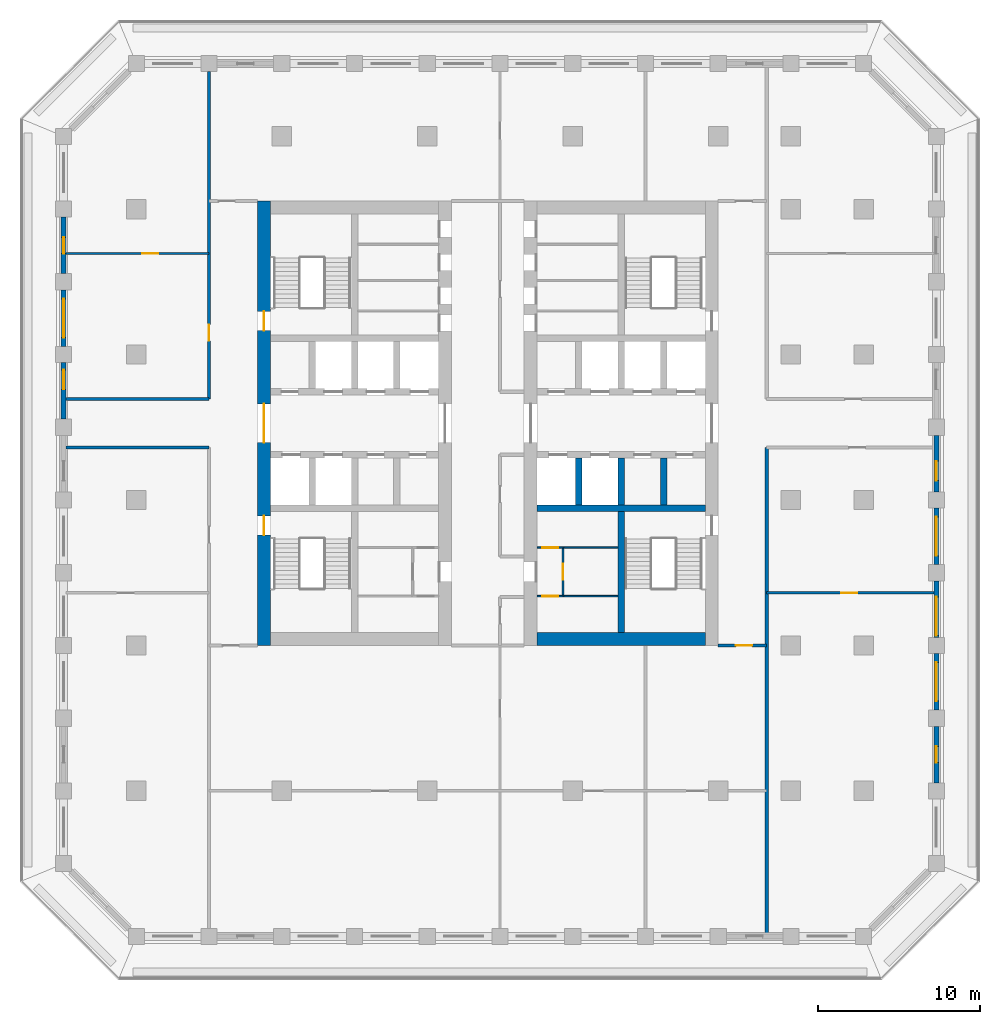
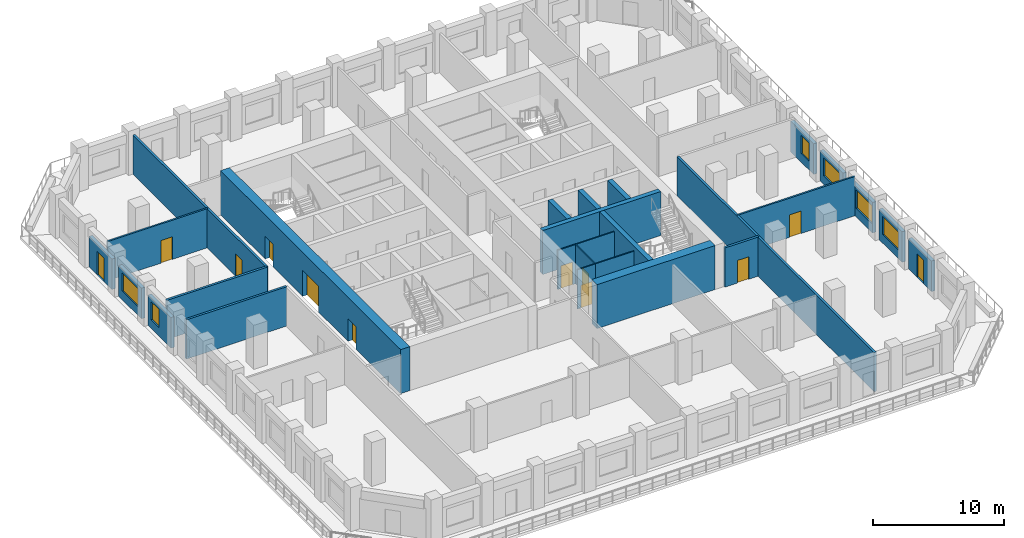
# One storey, part 4 of 16: 27 walls, 12 doors, 6 windows, 18 openings.
"""IFC4 building model written with IfcOpenShell, lengths in metres."""

from ifc_helpers import new_model, si_unit, direction, frame, frame_2d, origin, place, context, subcontext, project, spatial, rectangle, extrude, material, layer, layer_set, type_object, element, fill, save


model = new_model("IFC4")

# Units and contexts
model_context = context("Model", 3, precision=1e-05, world=origin(), true_north=direction((0.0, 1.0)))
body_context = subcontext(model_context, "Body", "Model", "MODEL_VIEW")
ifc_project = project(units=[si_unit("LENGTHUNIT", "METRE"), si_unit("AREAUNIT", "SQUARE_METRE"), si_unit("VOLUMEUNIT", "CUBIC_METRE"), si_unit("PLANEANGLEUNIT", "RADIAN"), si_unit("MASSUNIT", "GRAM", prefix="KILO")], contexts=[model_context])

# Site, building, storey
site_placement = place(None, origin())
site = spatial("IfcSite", under=ifc_project, at=site_placement, CompositionType="ELEMENT")
building_placement = place(site_placement, origin())
building = spatial("IfcBuilding", under=site, at=building_placement, Name="Corbel Stack Research Tower", CompositionType="ELEMENT")
storey_placement = place(building_placement, frame((0.0, 0.0, 195.60009765625)))
storey = spatial("IfcBuildingStorey", under=building, at=storey_placement, Name="L44", CompositionType="ELEMENT", Elevation=195.60009765625)

# Walls
ifc_material_1 = material(Name="Concrete C60/75", Category="concrete")
ifc_layer_1 = layer(ifc_material_1, 0.39990234375)
ifc_layer_set_1 = layer_set([ifc_layer_1], Name="Concrete C60/75")
wall_type_1 = type_object("IfcWallType", Name="CW-400-60", PredefinedType="SHEAR", material=ifc_layer_set_1)
wall_1_placement = place(storey_placement, frame((6.800048828125, -0.5, 0.0), z_axis=(0.0, 0.0, 1.0), x_axis=(1.0, 0.0, 0.0)))
element("IfcWall", 1, at=wall_1_placement, inside=storey, type_object=wall_type_1, Name="East core wall, south row back L44", PredefinedType="SHEAR", context=body_context, shape_type="SweptSolid", body=[
    extrude(rectangle(XDim=10.39990234375, YDim=0.39990234375, at=frame_2d((5.199951171875, 0.0))), origin(), (0.0, 0.0, 1.0), 4.099853515625),
])
for number, where, z_axis, x_axis, name in (
    (2, (9.375, -0.300048828125, 0.0), (0.0, 0.0, 1.0), (0.0, 1.0, 0.0), "East core wall, south shaft 1 L44"),
    (3, (12.0, -0.300048828125, 0.0), (0.0, 0.0, 1.0), (0.0, 1.0, 0.0), "East core wall, south shaft 2 L44"),
    (4, (14.625, -0.300048828125, 0.0), (0.0, 0.0, 1.0), (0.0, 1.0, 0.0), "East core wall, south shaft 3 L44"),
):
    element("IfcWall", number, at=place(storey_placement, frame(where, z_axis=z_axis, x_axis=x_axis)), inside=storey, type_object=wall_type_1, Name=name, PredefinedType="SHEAR", context=body_context, shape_type="SweptSolid", body=[
        extrude(rectangle(XDim=2.900146484375, YDim=0.39990234375, at=frame_2d((1.4501953125, 0.0))), origin(), (0.0, 0.0, 1.0), 4.099853515625),
    ])
wall_2_placement = place(storey_placement, frame((12.0, -8.199951171875, 0.0), z_axis=(0.0, 0.0, 1.0), x_axis=(0.0, 1.0, 0.0)))
element("IfcWall", 5, at=wall_2_placement, inside=storey, type_object=wall_type_1, Name="East core wall, south stair and WC L44", PredefinedType="SHEAR", context=body_context, shape_type="SweptSolid", body=[
    extrude(rectangle(XDim=7.5, YDim=0.39990234375, at=frame_2d((3.75, 0.0))), origin(), (0.0, 0.0, 1.0), 4.099853515625),
])

# Wall, openings, doors
ifc_material_2 = material(Name="Concrete C60/75", Category="concrete")
ifc_layer_2 = layer(ifc_material_2, 0.800048828125)
ifc_layer_set_2 = layer_set([ifc_layer_2], Name="Concrete C60/75")
wall_type_2 = type_object("IfcWallType", Name="CW-800-60", PredefinedType="SHEAR", material=ifc_layer_set_2)
wall_3_placement = place(storey_placement, frame((-10.10009765625, -9.0, 0.0), z_axis=(0.0, 0.0, 1.0), x_axis=(0.0, 1.0, 0.0)))
wall_3 = element("IfcWall", 6, at=wall_3_placement, inside=storey, type_object=wall_type_2, Name="West core wall, west face L44", PredefinedType="SHEAR", context=body_context, shape_type="SweptSolid", body=[
    extrude(rectangle(XDim=27.5, YDim=0.800048828125, at=frame_2d((13.75, 0.0))), origin(), (0.0, 0.0, 1.0), 4.099853515625),
])
opening_1_placement = place(wall_3_placement, frame((12.550048828125, 0.0, 0.0)))
opening_1 = element("IfcOpeningElement", 7, at=opening_1_placement, cuts=wall_3, Name="Opening CD-W-W", PredefinedType="OPENING", context=body_context, shape_type="SweptSolid", body=[
    extrude(rectangle(XDim=2.39990234375, YDim=2.39990234375, at=frame_2d((1.199951171875, 1.199951171875))), frame((0.0, 0.409912109375, 0.0), z_axis=(0.0, -1.0, 0.0), x_axis=(1.0, 0.0, 0.0)), (0.0, 0.0, 1.0), 0.820068359375),
])
opening_2_placement = place(wall_3_placement, frame((6.824951171875, 0.0, 0.0)))
opening_2 = element("IfcOpeningElement", 8, at=opening_2_placement, cuts=wall_3, Name="Opening SD-ST-W1", PredefinedType="OPENING", context=body_context, shape_type="SweptSolid", body=[
    extrude(rectangle(XDim=1.199951171875, YDim=2.10009765625, at=frame_2d((0.60009765625, 1.050048828125))), frame((0.0, 0.409912109375, 0.0), z_axis=(0.0, -1.0, 0.0), x_axis=(1.0, 0.0, 0.0)), (0.0, 0.0, 1.0), 0.820068359375),
])
opening_3_placement = place(wall_3_placement, frame((19.47509765625, 0.0, 0.0)))
opening_3 = element("IfcOpeningElement", 9, at=opening_3_placement, cuts=wall_3, Name="Opening SD-ST-W2", PredefinedType="OPENING", context=body_context, shape_type="SweptSolid", body=[
    extrude(rectangle(XDim=1.199951171875, YDim=2.10009765625, at=frame_2d((0.60009765625, 1.050048828125))), frame((0.0, 0.409912109375, 0.0), z_axis=(0.0, -1.0, 0.0), x_axis=(1.0, 0.0, 0.0)), (0.0, 0.0, 1.0), 0.820068359375),
])
ifc_material_3 = material(Name="Painted steel fire door", Category="steel")
door_type_1 = type_object("IfcDoorType", Name="Lobby door pair 2400 x 2400 FD30S", OperationType="DOUBLE_DOOR_DOUBLE_SWING", PredefinedType="DOOR", material=ifc_material_3)
door_1_placement = place(opening_1_placement, origin())
door_1 = element("IfcDoor", 10, at=door_1_placement, inside=storey, type_object=door_type_1, Name="Lift lobby door W core W", OperationType="DOUBLE_DOOR_DOUBLE_SWING", OverallHeight=2.39990234375, OverallWidth=2.39990234375, PredefinedType="DOOR", context=body_context, shape_type="SweptSolid", body=[
    extrude(rectangle(XDim=2.39990234375, YDim=2.39990234375, at=frame_2d((1.199951171875, 1.199951171875))), frame((0.0, 0.02490234375, 0.0), z_axis=(0.0, -1.0, 0.0), x_axis=(1.0, 0.0, 0.0)), (0.0, 0.0, 1.0), 0.050048828125),
])
fill(opening_1, door_1)
ifc_material_4 = material(Name="Painted steel fire door", Category="steel")
door_type_2 = type_object("IfcDoorType", Name="Stair door 1200 x 2100 FD90 left hand", OperationType="SINGLE_SWING_LEFT", PredefinedType="DOOR", material=ifc_material_4)
door_2_placement = place(opening_2_placement, origin())
door_2 = element("IfcDoor", 11, at=door_2_placement, inside=storey, type_object=door_type_2, Name="Stair door ST-W1", OperationType="SINGLE_SWING_LEFT", OverallHeight=2.10009765625, OverallWidth=1.199951171875, PredefinedType="DOOR", context=body_context, shape_type="SweptSolid", body=[
    extrude(rectangle(XDim=1.199951171875, YDim=2.10009765625, at=frame_2d((0.60009765625, 1.050048828125))), frame((0.0, 0.02490234375, 0.0), z_axis=(0.0, -1.0, 0.0), x_axis=(1.0, 0.0, 0.0)), (0.0, 0.0, 1.0), 0.050048828125),
])
fill(opening_2, door_2)
door_3_placement = place(opening_3_placement, origin())
door_3 = element("IfcDoor", 12, at=door_3_placement, inside=storey, type_object=door_type_2, Name="Stair door ST-W2", OperationType="SINGLE_SWING_LEFT", OverallHeight=2.10009765625, OverallWidth=1.199951171875, PredefinedType="DOOR", context=body_context, shape_type="SweptSolid", body=[
    extrude(rectangle(XDim=1.199951171875, YDim=2.10009765625, at=frame_2d((0.60009765625, 1.050048828125))), frame((0.0, 0.02490234375, 0.0), z_axis=(0.0, -1.0, 0.0), x_axis=(1.0, 0.0, 0.0)), (0.0, 0.0, 1.0), 0.050048828125),
])
fill(opening_3, door_3)

# Wall
wall_4_placement = place(storey_placement, frame((6.800048828125, -8.60009765625, 0.0), z_axis=(0.0, 0.0, 1.0), x_axis=(1.0, 0.0, 0.0)))
element("IfcWall", 13, at=wall_4_placement, inside=storey, type_object=wall_type_2, Name="East core wall, south end L44", PredefinedType="SHEAR", context=body_context, shape_type="SweptSolid", body=[
    extrude(rectangle(XDim=10.39990234375, YDim=0.800048828125, at=frame_2d((5.199951171875, 0.0))), origin(), (0.0, 0.0, 1.0), 4.099853515625),
])

# Wall, opening, door
ifc_material_5 = material(Name="Gypsum board")
ifc_layer_3 = layer(ifc_material_5, 0.10009765625)
ifc_layer_set_3 = layer_set([ifc_layer_3], Name="Gypsum board")
wall_type_3 = type_object("IfcWallType", Name="Core partition 100", PredefinedType="PARTITIONING", material=ifc_layer_set_3)
wall_5_placement = place(storey_placement, frame((6.800048828125, -5.949951171875, 0.0), z_axis=(0.0, 0.0, 1.0), x_axis=(1.0, 0.0, 0.0)))
wall_5 = element("IfcWall", 14, at=wall_5_placement, inside=storey, type_object=wall_type_3, Name="Core partition E", PredefinedType="PARTITIONING", context=body_context, shape_type="SweptSolid", body=[
    extrude(rectangle(XDim=1.599853515625, YDim=0.10009765625, at=frame_2d((0.7998046875, 0.0))), origin(), (0.0, 0.0, 1.0), 3.64990234375),
])
opening_4_placement = place(wall_5_placement, frame((0.300048828125, 0.0, 0.0)))
opening_4 = element("IfcOpeningElement", 15, at=opening_4_placement, cuts=wall_5, Name="Opening CR-E36-W2-1000", PredefinedType="OPENING", context=body_context, shape_type="SweptSolid", body=[
    extrude(rectangle(XDim=1.0, YDim=2.10009765625, at=frame_2d((0.5, 1.050048828125))), frame((0.0, 0.06005859375, 0.0), z_axis=(0.0, -1.0, 0.0), x_axis=(1.0, 0.0, 0.0)), (0.0, 0.0, 1.0), 0.1201171875),
])
ifc_material_6 = material(Name="Painted timber door", Category="wood")
door_type_3 = type_object("IfcDoorType", Name="WC door 1000 x 2100 left hand", OperationType="SINGLE_SWING_LEFT", PredefinedType="DOOR", material=ifc_material_6)
door_4_placement = place(opening_4_placement, origin())
door_4 = element("IfcDoor", 16, at=door_4_placement, inside=storey, type_object=door_type_3, Name="Men's WC door E core", OperationType="SINGLE_SWING_LEFT", OverallHeight=2.10009765625, OverallWidth=1.0, PredefinedType="DOOR", context=body_context, shape_type="SweptSolid", body=[
    extrude(rectangle(XDim=1.0, YDim=2.10009765625, at=frame_2d((0.5, 1.050048828125))), frame((0.0, 0.02490234375, 0.0), z_axis=(0.0, -1.0, 0.0), x_axis=(1.0, 0.0, 0.0)), (0.0, 0.0, 1.0), 0.050048828125),
])
fill(opening_4, door_4)

wall_6_placement = place(storey_placement, frame((6.800048828125, -2.949951171875, 0.0), z_axis=(0.0, 0.0, 1.0), x_axis=(1.0, 0.0, 0.0)))
wall_6 = element("IfcWall", 17, at=wall_6_placement, inside=storey, type_object=wall_type_3, Name="Core partition E", PredefinedType="PARTITIONING", context=body_context, shape_type="SweptSolid", body=[
    extrude(rectangle(XDim=1.599853515625, YDim=0.10009765625, at=frame_2d((0.7998046875, 0.0))), origin(), (0.0, 0.0, 1.0), 3.64990234375),
])
opening_5_placement = place(wall_6_placement, frame((0.300048828125, 0.0, 0.0)))
opening_5 = element("IfcOpeningElement", 18, at=opening_5_placement, cuts=wall_6, Name="Opening CR-E36-W3-1000", PredefinedType="OPENING", context=body_context, shape_type="SweptSolid", body=[
    extrude(rectangle(XDim=1.0, YDim=2.10009765625, at=frame_2d((0.5, 1.050048828125))), frame((0.0, 0.06005859375, 0.0), z_axis=(0.0, -1.0, 0.0), x_axis=(1.0, 0.0, 0.0)), (0.0, 0.0, 1.0), 0.1201171875),
])
ifc_material_7 = material(Name="Painted timber door", Category="wood")
door_type_4 = type_object("IfcDoorType", Name="WC door 1000 x 2100 right hand", OperationType="SINGLE_SWING_RIGHT", PredefinedType="DOOR", material=ifc_material_7)
door_5_placement = place(opening_5_placement, origin())
door_5 = element("IfcDoor", 19, at=door_5_placement, inside=storey, type_object=door_type_4, Name="Women's WC door E core", OperationType="SINGLE_SWING_RIGHT", OverallHeight=2.10009765625, OverallWidth=1.0, PredefinedType="DOOR", context=body_context, shape_type="SweptSolid", body=[
    extrude(rectangle(XDim=1.0, YDim=2.10009765625, at=frame_2d((0.5, 1.050048828125))), frame((0.0, 0.02490234375, 0.0), z_axis=(0.0, -1.0, 0.0), x_axis=(1.0, 0.0, 0.0)), (0.0, 0.0, 1.0), 0.050048828125),
])
fill(opening_5, door_5)

wall_7_placement = place(storey_placement, frame((8.39990234375, -5.949951171875, 0.0), z_axis=(0.0, 0.0, 1.0), x_axis=(0.0, 1.0, 0.0)))
wall_7 = element("IfcWall", 20, at=wall_7_placement, inside=storey, type_object=wall_type_3, Name="Core partition E", PredefinedType="PARTITIONING", context=body_context, shape_type="SweptSolid", body=[
    extrude(rectangle(XDim=3.0, YDim=0.10009765625, at=frame_2d((1.5, 0.0))), origin(), (0.0, 0.0, 1.0), 3.64990234375),
])
opening_6_placement = place(wall_7_placement, frame((1.0, 0.0, 0.0)))
opening_6 = element("IfcOpeningElement", 21, at=opening_6_placement, cuts=wall_7, Name="Opening CR-E36-W4-1000", PredefinedType="OPENING", context=body_context, shape_type="SweptSolid", body=[
    extrude(rectangle(XDim=1.0, YDim=2.10009765625, at=frame_2d((0.5, 1.050048828125))), frame((0.0, 0.06005859375, 0.0), z_axis=(0.0, -1.0, 0.0), x_axis=(1.0, 0.0, 0.0)), (0.0, 0.0, 1.0), 0.1201171875),
])
door_6_placement = place(opening_6_placement, origin())
door_6 = element("IfcDoor", 22, at=door_6_placement, inside=storey, type_object=door_type_3, Name="Accessible WC door E core", OperationType="SINGLE_SWING_LEFT", OverallHeight=2.10009765625, OverallWidth=1.0, PredefinedType="DOOR", context=body_context, shape_type="SweptSolid", body=[
    extrude(rectangle(XDim=1.0, YDim=2.10009765625, at=frame_2d((0.5, 1.050048828125))), frame((0.0, 0.02490234375, 0.0), z_axis=(0.0, -1.0, 0.0), x_axis=(1.0, 0.0, 0.0)), (0.0, 0.0, 1.0), 0.050048828125),
])
fill(opening_6, door_6)

# Walls
for number, where, z_axis, x_axis, name in (
    (23, (8.39990234375, -5.949951171875, 0.0), (0.0, 0.0, 1.0), (1.0, 0.0, 0.0), "Core partition E"),
    (24, (8.39990234375, -2.949951171875, 0.0), (0.0, 0.0, 1.0), (1.0, 0.0, 0.0), "Core partition E"),
):
    element("IfcWall", number, at=place(storey_placement, frame(where, z_axis=z_axis, x_axis=x_axis)), inside=storey, type_object=wall_type_3, Name=name, PredefinedType="PARTITIONING", context=body_context, shape_type="SweptSolid", body=[
        extrude(rectangle(XDim=3.400146484375, YDim=0.10009765625, at=frame_2d((1.7001953125, 0.0))), origin(), (0.0, 0.0, 1.0), 3.64990234375),
    ])

# Wall, opening, door
ifc_material_8 = material(Name="Fire-rated gypsum board partition on steel studs", Category="steel")
ifc_layer_4 = layer(ifc_material_8, 0.199951171875)
ifc_layer_set_4 = layer_set([ifc_layer_4], Name="Fire-rated gypsum board partition on steel studs")
wall_type_4 = type_object("IfcWallType", Name="Fire-rated partition 200 EI 60", PredefinedType="PARTITIONING", material=ifc_layer_set_4)
wall_8_placement = place(storey_placement, frame((-13.5, 6.25, 0.0), z_axis=(0.0, 0.0, 1.0), x_axis=(0.0, 1.0, 0.0)))
wall_8 = element("IfcWall", 25, at=wall_8_placement, inside=storey, type_object=wall_type_4, Name="Partition L44-002", PredefinedType="PARTITIONING", context=body_context, shape_type="SweptSolid", body=[
    extrude(rectangle(XDim=20.25, YDim=0.199951171875, at=frame_2d((10.125, 0.0))), origin(), (0.0, 0.0, 1.0), 3.64990234375),
])
opening_7_placement = place(wall_8_placement, frame((3.60009765625, 0.0, 0.0)))
opening_7 = element("IfcOpeningElement", 26, at=opening_7_placement, cuts=wall_8, Name="Opening B6V0-005", PredefinedType="OPENING", context=body_context, shape_type="SweptSolid", body=[
    extrude(rectangle(XDim=1.0, YDim=2.10009765625, at=frame_2d((0.5, 1.050048828125))), frame((0.0, 0.10986328125, 0.0), z_axis=(0.0, -1.0, 0.0), x_axis=(1.0, 0.0, 0.0)), (0.0, 0.0, 1.0), 0.219970703125),
])
ifc_material_9 = material(Name="Painted steel fire door", Category="steel")
door_type_5 = type_object("IfcDoorType", Name="Fire door FD30S 1000 x 2100", OperationType="NOTDEFINED", PredefinedType="DOOR", material=ifc_material_9)
door_7_placement = place(opening_7_placement, origin())
door_7 = element("IfcDoor", 27, at=door_7_placement, inside=storey, type_object=door_type_5, Name="Door B6V0-005", OperationType="SINGLE_SWING_LEFT", OverallHeight=2.10009765625, OverallWidth=1.0, PredefinedType="DOOR", context=body_context, shape_type="SweptSolid", body=[
    extrude(rectangle(XDim=1.0, YDim=2.10009765625, at=frame_2d((0.5, 1.050048828125))), frame((0.0, 0.02490234375, 0.0), z_axis=(0.0, -1.0, 0.0), x_axis=(1.0, 0.0, 0.0)), (0.0, 0.0, 1.0), 0.050048828125),
])
fill(opening_7, door_7)

# Wall
wall_9_placement = place(storey_placement, frame((21.0, -26.85009765625, 0.0), z_axis=(0.0, 0.0, 1.0), x_axis=(0.0, 1.0, 0.0)))
element("IfcWall", 28, at=wall_9_placement, inside=storey, type_object=wall_type_4, Name="Partition L44-010", PredefinedType="PARTITIONING", context=body_context, shape_type="SweptSolid", body=[
    extrude(rectangle(XDim=30.10009765625, YDim=0.199951171875, at=frame_2d((15.050048828125, 0.0))), origin(), (0.0, 0.0, 1.0), 3.64990234375),
])

# Wall, opening, door
wall_10_placement = place(storey_placement, frame((21.0, -9.0, 0.0), z_axis=(0.0, 0.0, 1.0), x_axis=(-1.0, 0.0, 0.0)))
wall_10 = element("IfcWall", 29, at=wall_10_placement, inside=storey, type_object=wall_type_4, Name="Partition L44-019", PredefinedType="PARTITIONING", context=body_context, shape_type="SweptSolid", body=[
    extrude(rectangle(XDim=3.0, YDim=0.199951171875, at=frame_2d((1.5, 0.0))), origin(), (0.0, 0.0, 1.0), 3.64990234375),
])
opening_8_placement = place(wall_10_placement, frame((0.89990234375, 0.0, 0.0)))
opening_8 = element("IfcOpeningElement", 30, at=opening_8_placement, cuts=wall_10, Name="Opening B6V0-007", PredefinedType="OPENING", context=body_context, shape_type="SweptSolid", body=[
    extrude(rectangle(XDim=1.0, YDim=2.10009765625, at=frame_2d((0.5, 1.050048828125))), frame((0.0, 0.10986328125, 0.0), z_axis=(0.0, -1.0, 0.0), x_axis=(1.0, 0.0, 0.0)), (0.0, 0.0, 1.0), 0.219970703125),
])
door_8_placement = place(opening_8_placement, origin())
door_8 = element("IfcDoor", 31, at=door_8_placement, inside=storey, type_object=door_type_5, Name="Door B6V0-007", OperationType="SINGLE_SWING_LEFT", OverallHeight=2.10009765625, OverallWidth=1.0, PredefinedType="DOOR", context=body_context, shape_type="SweptSolid", body=[
    extrude(rectangle(XDim=1.0, YDim=2.10009765625, at=frame_2d((0.5, 1.050048828125))), frame((0.0, 0.02490234375, 0.0), z_axis=(0.0, -1.0, 0.0), x_axis=(1.0, 0.0, 0.0)), (0.0, 0.0, 1.0), 0.050048828125),
])
fill(opening_8, door_8)

# Walls
for number, where, z_axis, x_axis, name in (
    (32, (-22.35009765625, 3.25, 0.0), (0.0, 0.0, 1.0), (1.0, 0.0, 0.0), "Partition L44-025"),
    (33, (-22.35009765625, 6.25, 0.0), (0.0, 0.0, 1.0), (1.0, 0.0, 0.0), "Partition L44-027"),
):
    element("IfcWall", number, at=place(storey_placement, frame(where, z_axis=z_axis, x_axis=x_axis)), inside=storey, type_object=wall_type_4, Name=name, PredefinedType="PARTITIONING", context=body_context, shape_type="SweptSolid", body=[
        extrude(rectangle(XDim=8.85009765625, YDim=0.199951171875, at=frame_2d((4.425048828125, 0.0))), origin(), (0.0, 0.0, 1.0), 3.64990234375),
    ])

# Wall, opening, door
ifc_material_10 = material(Name="Gypsum board partition on steel studs", Category="steel")
ifc_layer_5 = layer(ifc_material_10, 0.14990234375)
ifc_layer_set_5 = layer_set([ifc_layer_5], Name="Gypsum board partition on steel studs")
wall_type_5 = type_object("IfcWallType", Name="Partition 150", PredefinedType="PARTITIONING", material=ifc_layer_set_5)
wall_11_placement = place(storey_placement, frame((31.35009765625, -5.75, 0.0), z_axis=(0.0, 0.0, 1.0), x_axis=(-1.0, 0.0, 0.0)))
wall_11 = element("IfcWall", 34, at=wall_11_placement, inside=storey, type_object=wall_type_5, Name="Partition L44-022", PredefinedType="PARTITIONING", context=body_context, shape_type="SweptSolid", body=[
    extrude(rectangle(XDim=10.35009765625, YDim=0.14990234375, at=frame_2d((5.175048828125, 0.0))), origin(), (0.0, 0.0, 1.0), 3.64990234375),
])
opening_9_placement = place(wall_11_placement, frame((4.75, 0.0, 0.0)))
opening_9 = element("IfcOpeningElement", 35, at=opening_9_placement, cuts=wall_11, Name="Opening B6V0-009", PredefinedType="OPENING", context=body_context, shape_type="SweptSolid", body=[
    extrude(rectangle(XDim=1.0, YDim=2.10009765625, at=frame_2d((0.5, 1.050048828125))), frame((0.0, 0.0849609375, 0.0), z_axis=(0.0, -1.0, 0.0), x_axis=(1.0, 0.0, 0.0)), (0.0, 0.0, 1.0), 0.169921875),
])
ifc_material_11 = material(Name="Painted timber door", Category="wood")
door_type_6 = type_object("IfcDoorType", Name="Single door 1000 x 2100", OperationType="NOTDEFINED", PredefinedType="DOOR", material=ifc_material_11)
door_9_placement = place(opening_9_placement, origin())
door_9 = element("IfcDoor", 36, at=door_9_placement, inside=storey, type_object=door_type_6, Name="Door B6V0-009", OperationType="SINGLE_SWING_RIGHT", OverallHeight=2.10009765625, OverallWidth=1.0, PredefinedType="DOOR", context=body_context, shape_type="SweptSolid", body=[
    extrude(rectangle(XDim=1.0, YDim=2.10009765625, at=frame_2d((0.5, 1.050048828125))), frame((0.0, 0.02490234375, 0.0), z_axis=(0.0, -1.0, 0.0), x_axis=(1.0, 0.0, 0.0)), (0.0, 0.0, 1.0), 0.050048828125),
])
fill(opening_9, door_9)

wall_12_placement = place(storey_placement, frame((-22.35009765625, 15.25, 0.0), z_axis=(0.0, 0.0, 1.0), x_axis=(1.0, 0.0, 0.0)))
wall_12 = element("IfcWall", 37, at=wall_12_placement, inside=storey, type_object=wall_type_5, Name="Partition L44-030", PredefinedType="PARTITIONING", context=body_context, shape_type="SweptSolid", body=[
    extrude(rectangle(XDim=8.85009765625, YDim=0.14990234375, at=frame_2d((4.425048828125, 0.0))), origin(), (0.0, 0.0, 1.0), 3.64990234375),
])
opening_10_placement = place(wall_12_placement, frame((4.699951171875, 0.0, 0.0)))
opening_10 = element("IfcOpeningElement", 38, at=opening_10_placement, cuts=wall_12, Name="Opening B6V0-017", PredefinedType="OPENING", context=body_context, shape_type="SweptSolid", body=[
    extrude(rectangle(XDim=1.0, YDim=2.10009765625, at=frame_2d((0.5, 1.050048828125))), frame((0.0, 0.0849609375, 0.0), z_axis=(0.0, -1.0, 0.0), x_axis=(1.0, 0.0, 0.0)), (0.0, 0.0, 1.0), 0.169921875),
])
door_10_placement = place(opening_10_placement, origin())
door_10 = element("IfcDoor", 39, at=door_10_placement, inside=storey, type_object=door_type_6, Name="Door B6V0-017", OperationType="SINGLE_SWING_RIGHT", OverallHeight=2.10009765625, OverallWidth=1.0, PredefinedType="DOOR", context=body_context, shape_type="SweptSolid", body=[
    extrude(rectangle(XDim=1.0, YDim=2.10009765625, at=frame_2d((0.5, 1.050048828125))), frame((0.0, 0.02490234375, 0.0), z_axis=(0.0, -1.0, 0.0), x_axis=(1.0, 0.0, 0.0)), (0.0, 0.0, 1.0), 0.050048828125),
])
fill(opening_10, door_10)

ifc_material_12 = material(Name="Concrete C45/55", Category="concrete")
ifc_layer_6 = layer(ifc_material_12, 0.300048828125)
ifc_layer_set_6 = layer_set([ifc_layer_6], Name="Concrete C45/55")
wall_type_6 = type_object("IfcWallType", Name="Terracotta-faced concrete wall 300", PredefinedType="SOLIDWALL", material=ifc_layer_set_6)
wall_13_placement = place(storey_placement, frame((31.5, -14.0, 0.0), z_axis=(0.0, 0.0, 1.0), x_axis=(0.0, -1.0, 0.0)))
wall_13 = element("IfcWall", 40, at=wall_13_placement, inside=storey, type_object=wall_type_6, Name="Facade wall L44 E02", PredefinedType="SOLIDWALL", context=body_context, shape_type="SweptSolid", body=[
    extrude(rectangle(XDim=3.5, YDim=0.300048828125, at=frame_2d((1.75, 0.0))), origin(), (0.0, 0.0, 1.0), 2.849853515625),
])
opening_11_placement = place(wall_13_placement, frame((1.25, 0.0, 0.0)))
opening_11 = element("IfcOpeningElement", 41, at=opening_11_placement, cuts=wall_13, Name="Opening L44-B04", PredefinedType="OPENING", context=body_context, shape_type="SweptSolid", body=[
    extrude(rectangle(XDim=1.0, YDim=2.199951171875, at=frame_2d((0.5, 1.10009765625))), frame((0.0, 0.159912109375, 0.0), z_axis=(0.0, -1.0, 0.0), x_axis=(1.0, 0.0, 0.0)), (0.0, 0.0, 1.0), 0.320068359375),
])
ifc_material_13 = material(Name="Aluminium frame, clear double glazing", Category="aluminium")
door_type_7 = type_object("IfcDoorType", Name="Balcony door BD1 1000 x 2200", OperationType="NOTDEFINED", PredefinedType="DOOR", material=ifc_material_13)
door_11_placement = place(opening_11_placement, origin())
door_11 = element("IfcDoor", 42, at=door_11_placement, inside=storey, type_object=door_type_7, Name="Balcony door L44-B04", OperationType="SINGLE_SWING_RIGHT", OverallHeight=2.199951171875, OverallWidth=1.0, PredefinedType="DOOR", context=body_context, shape_type="SweptSolid", body=[
    extrude(rectangle(XDim=1.0, YDim=2.199951171875, at=frame_2d((0.5, 1.10009765625))), frame((0.0, 0.02490234375, 0.0), z_axis=(0.0, -1.0, 0.0), x_axis=(1.0, 0.0, 0.0)), (0.0, 0.0, 1.0), 0.050048828125),
])
fill(opening_11, door_11)

# Wall, opening, window
wall_14_placement = place(storey_placement, frame((31.5, -9.5, 0.0), z_axis=(0.0, 0.0, 1.0), x_axis=(0.0, -1.0, 0.0)))
wall_14 = element("IfcWall", 43, at=wall_14_placement, inside=storey, type_object=wall_type_6, Name="Facade wall L44 E03", PredefinedType="SOLIDWALL", context=body_context, shape_type="SweptSolid", body=[
    extrude(rectangle(XDim=3.5, YDim=0.300048828125, at=frame_2d((1.75, 0.0))), origin(), (0.0, 0.0, 1.0), 2.849853515625),
])
opening_12_placement = place(wall_14_placement, frame((0.550048828125, 0.0, 0.800048828125)))
opening_12 = element("IfcOpeningElement", 44, at=opening_12_placement, cuts=wall_14, Name="Opening W1", PredefinedType="OPENING", context=body_context, shape_type="SweptSolid", body=[
    extrude(rectangle(XDim=2.39990234375, YDim=1.699951171875, at=frame_2d((1.199951171875, 0.85009765625))), frame((0.0, 0.159912109375, 0.0), z_axis=(0.0, -1.0, 0.0), x_axis=(1.0, 0.0, 0.0)), (0.0, 0.0, 1.0), 0.320068359375),
])
ifc_material_14 = material(Name="Aluminium frame, clear double glazing", Category="aluminium")
window_type_1 = type_object("IfcWindowType", Name="Window W1 2400 x 1700", PartitioningType="SINGLE_PANEL", PredefinedType="WINDOW", material=ifc_material_14)
window_1_placement = place(opening_12_placement, origin())
window_1 = element("IfcWindow", 45, at=window_1_placement, inside=storey, type_object=window_type_1, Name="Window W1 L44 E03", OverallHeight=1.699951171875, OverallWidth=2.39990234375, PartitioningType="SINGLE_PANEL", PredefinedType="WINDOW", context=body_context, shape_type="SweptSolid", body=[
    extrude(rectangle(XDim=2.39990234375, YDim=1.699951171875, at=frame_2d((1.199951171875, 0.85009765625))), frame((0.0, 0.030029296875, 0.0), z_axis=(0.0, -1.0, 0.0), x_axis=(1.0, 0.0, 0.0)), (0.0, 0.0, 1.0), 0.06005859375),
])
fill(opening_12, window_1)

wall_15_placement = place(storey_placement, frame((31.5, -5.0, 0.0), z_axis=(0.0, 0.0, 1.0), x_axis=(0.0, -1.0, 0.0)))
wall_15 = element("IfcWall", 46, at=wall_15_placement, inside=storey, type_object=wall_type_6, Name="Facade wall L44 E04", PredefinedType="SOLIDWALL", context=body_context, shape_type="SweptSolid", body=[
    extrude(rectangle(XDim=3.5, YDim=0.300048828125, at=frame_2d((1.75, 0.0))), origin(), (0.0, 0.0, 1.0), 2.849853515625),
])
opening_13_placement = place(wall_15_placement, frame((0.987548828125, 0.0, 0.800048828125)))
opening_13 = element("IfcOpeningElement", 47, at=opening_13_placement, cuts=wall_15, Name="Opening W1", PredefinedType="OPENING", context=body_context, shape_type="SweptSolid", body=[
    extrude(rectangle(XDim=2.39990234375, YDim=1.699951171875, at=frame_2d((1.199951171875, 0.85009765625))), frame((0.0, 0.159912109375, 0.0), z_axis=(0.0, -1.0, 0.0), x_axis=(1.0, 0.0, 0.0)), (0.0, 0.0, 1.0), 0.320068359375),
])
window_2_placement = place(opening_13_placement, origin())
window_2 = element("IfcWindow", 48, at=window_2_placement, inside=storey, type_object=window_type_1, Name="Window W1 L44 E04", OverallHeight=1.699951171875, OverallWidth=2.39990234375, PartitioningType="SINGLE_PANEL", PredefinedType="WINDOW", context=body_context, shape_type="SweptSolid", body=[
    extrude(rectangle(XDim=2.39990234375, YDim=1.699951171875, at=frame_2d((1.199951171875, 0.85009765625))), frame((0.0, 0.030029296875, 0.0), z_axis=(0.0, -1.0, 0.0), x_axis=(1.0, 0.0, 0.0)), (0.0, 0.0, 1.0), 0.06005859375),
])
fill(opening_13, window_2)

wall_16_placement = place(storey_placement, frame((31.5, -0.5, 0.0), z_axis=(0.0, 0.0, 1.0), x_axis=(0.0, -1.0, 0.0)))
wall_16 = element("IfcWall", 49, at=wall_16_placement, inside=storey, type_object=wall_type_6, Name="Facade wall L44 E05", PredefinedType="SOLIDWALL", context=body_context, shape_type="SweptSolid", body=[
    extrude(rectangle(XDim=3.5, YDim=0.300048828125, at=frame_2d((1.75, 0.0))), origin(), (0.0, 0.0, 1.0), 2.849853515625),
])
opening_14_placement = place(wall_16_placement, frame((0.550048828125, 0.0, 0.800048828125)))
opening_14 = element("IfcOpeningElement", 50, at=opening_14_placement, cuts=wall_16, Name="Opening W1", PredefinedType="OPENING", context=body_context, shape_type="SweptSolid", body=[
    extrude(rectangle(XDim=2.39990234375, YDim=1.699951171875, at=frame_2d((1.199951171875, 0.85009765625))), frame((0.0, 0.159912109375, 0.0), z_axis=(0.0, -1.0, 0.0), x_axis=(1.0, 0.0, 0.0)), (0.0, 0.0, 1.0), 0.320068359375),
])
window_3_placement = place(opening_14_placement, origin())
window_3 = element("IfcWindow", 51, at=window_3_placement, inside=storey, type_object=window_type_1, Name="Window W1 L44 E05", OverallHeight=1.699951171875, OverallWidth=2.39990234375, PartitioningType="SINGLE_PANEL", PredefinedType="WINDOW", context=body_context, shape_type="SweptSolid", body=[
    extrude(rectangle(XDim=2.39990234375, YDim=1.699951171875, at=frame_2d((1.199951171875, 0.85009765625))), frame((0.0, 0.030029296875, 0.0), z_axis=(0.0, -1.0, 0.0), x_axis=(1.0, 0.0, 0.0)), (0.0, 0.0, 1.0), 0.06005859375),
])
fill(opening_14, window_3)

wall_17_placement = place(storey_placement, frame((31.5, 4.0, 0.0), z_axis=(0.0, 0.0, 1.0), x_axis=(0.0, -1.0, 0.0)))
wall_17 = element("IfcWall", 52, at=wall_17_placement, inside=storey, type_object=wall_type_6, Name="Facade wall L44 E06", PredefinedType="SOLIDWALL", context=body_context, shape_type="SweptSolid", body=[
    extrude(rectangle(XDim=3.5, YDim=0.300048828125, at=frame_2d((1.75, 0.0))), origin(), (0.0, 0.0, 1.0), 2.849853515625),
])
opening_15_placement = place(wall_17_placement, frame((1.60009765625, 0.0, 0.800048828125)))
opening_15 = element("IfcOpeningElement", 53, at=opening_15_placement, cuts=wall_17, Name="Opening W2", PredefinedType="OPENING", context=body_context, shape_type="SweptSolid", body=[
    extrude(rectangle(XDim=1.199951171875, YDim=1.699951171875, at=frame_2d((0.60009765625, 0.85009765625))), frame((0.0, 0.159912109375, 0.0), z_axis=(0.0, -1.0, 0.0), x_axis=(1.0, 0.0, 0.0)), (0.0, 0.0, 1.0), 0.320068359375),
])
ifc_material_15 = material(Name="Aluminium frame, clear double glazing", Category="aluminium")
window_type_2 = type_object("IfcWindowType", Name="Window W2 1200 x 1700", PartitioningType="SINGLE_PANEL", PredefinedType="WINDOW", material=ifc_material_15)
window_4_placement = place(opening_15_placement, origin())
window_4 = element("IfcWindow", 54, at=window_4_placement, inside=storey, type_object=window_type_2, Name="Window W2 L44 E06", OverallHeight=1.699951171875, OverallWidth=1.199951171875, PartitioningType="SINGLE_PANEL", PredefinedType="WINDOW", context=body_context, shape_type="SweptSolid", body=[
    extrude(rectangle(XDim=1.199951171875, YDim=1.699951171875, at=frame_2d((0.60009765625, 0.85009765625))), frame((0.0, 0.030029296875, 0.0), z_axis=(0.0, -1.0, 0.0), x_axis=(1.0, 0.0, 0.0)), (0.0, 0.0, 1.0), 0.06005859375),
])
fill(opening_15, window_4)

# Wall, opening, door
wall_18_placement = place(storey_placement, frame((-22.5, 14.0, 0.0), z_axis=(0.0, 0.0, 1.0), x_axis=(0.0, 1.0, 0.0)))
wall_18 = element("IfcWall", 55, at=wall_18_placement, inside=storey, type_object=wall_type_6, Name="Facade wall L44 W02", PredefinedType="SOLIDWALL", context=body_context, shape_type="SweptSolid", body=[
    extrude(rectangle(XDim=3.5, YDim=0.300048828125, at=frame_2d((1.75, 0.0))), origin(), (0.0, 0.0, 1.0), 2.849853515625),
])
opening_16_placement = place(wall_18_placement, frame((1.25, 0.0, 0.0)))
opening_16 = element("IfcOpeningElement", 56, at=opening_16_placement, cuts=wall_18, Name="Opening L44-B10", PredefinedType="OPENING", context=body_context, shape_type="SweptSolid", body=[
    extrude(rectangle(XDim=1.0, YDim=2.199951171875, at=frame_2d((0.5, 1.10009765625))), frame((0.0, 0.159912109375, 0.0), z_axis=(0.0, -1.0, 0.0), x_axis=(1.0, 0.0, 0.0)), (0.0, 0.0, 1.0), 0.320068359375),
])
door_12_placement = place(opening_16_placement, origin())
door_12 = element("IfcDoor", 57, at=door_12_placement, inside=storey, type_object=door_type_7, Name="Balcony door L44-B10", OperationType="SINGLE_SWING_RIGHT", OverallHeight=2.199951171875, OverallWidth=1.0, PredefinedType="DOOR", context=body_context, shape_type="SweptSolid", body=[
    extrude(rectangle(XDim=1.0, YDim=2.199951171875, at=frame_2d((0.5, 1.10009765625))), frame((0.0, 0.02490234375, 0.0), z_axis=(0.0, -1.0, 0.0), x_axis=(1.0, 0.0, 0.0)), (0.0, 0.0, 1.0), 0.050048828125),
])
fill(opening_16, door_12)

# Wall, opening, window
wall_19_placement = place(storey_placement, frame((-22.5, 9.5, 0.0), z_axis=(0.0, 0.0, 1.0), x_axis=(0.0, 1.0, 0.0)))
wall_19 = element("IfcWall", 58, at=wall_19_placement, inside=storey, type_object=wall_type_6, Name="Facade wall L44 W03", PredefinedType="SOLIDWALL", context=body_context, shape_type="SweptSolid", body=[
    extrude(rectangle(XDim=3.5, YDim=0.300048828125, at=frame_2d((1.75, 0.0))), origin(), (0.0, 0.0, 1.0), 2.849853515625),
])
opening_17_placement = place(wall_19_placement, frame((0.550048828125, 0.0, 0.800048828125)))
opening_17 = element("IfcOpeningElement", 59, at=opening_17_placement, cuts=wall_19, Name="Opening W1", PredefinedType="OPENING", context=body_context, shape_type="SweptSolid", body=[
    extrude(rectangle(XDim=2.39990234375, YDim=1.699951171875, at=frame_2d((1.199951171875, 0.85009765625))), frame((0.0, 0.159912109375, 0.0), z_axis=(0.0, -1.0, 0.0), x_axis=(1.0, 0.0, 0.0)), (0.0, 0.0, 1.0), 0.320068359375),
])
window_5_placement = place(opening_17_placement, origin())
window_5 = element("IfcWindow", 60, at=window_5_placement, inside=storey, type_object=window_type_1, Name="Window W1 L44 W03", OverallHeight=1.699951171875, OverallWidth=2.39990234375, PartitioningType="SINGLE_PANEL", PredefinedType="WINDOW", context=body_context, shape_type="SweptSolid", body=[
    extrude(rectangle(XDim=2.39990234375, YDim=1.699951171875, at=frame_2d((1.199951171875, 0.85009765625))), frame((0.0, 0.030029296875, 0.0), z_axis=(0.0, -1.0, 0.0), x_axis=(1.0, 0.0, 0.0)), (0.0, 0.0, 1.0), 0.06005859375),
])
fill(opening_17, window_5)

wall_20_placement = place(storey_placement, frame((-22.5, 5.0, 0.0), z_axis=(0.0, 0.0, 1.0), x_axis=(0.0, 1.0, 0.0)))
wall_20 = element("IfcWall", 61, at=wall_20_placement, inside=storey, type_object=wall_type_6, Name="Facade wall L44 W04", PredefinedType="SOLIDWALL", context=body_context, shape_type="SweptSolid", body=[
    extrude(rectangle(XDim=3.5, YDim=0.300048828125, at=frame_2d((1.75, 0.0))), origin(), (0.0, 0.0, 1.0), 2.849853515625),
])
opening_18_placement = place(wall_20_placement, frame((1.85009765625, 0.0, 0.800048828125)))
opening_18 = element("IfcOpeningElement", 62, at=opening_18_placement, cuts=wall_20, Name="Opening W2", PredefinedType="OPENING", context=body_context, shape_type="SweptSolid", body=[
    extrude(rectangle(XDim=1.199951171875, YDim=1.699951171875, at=frame_2d((0.60009765625, 0.85009765625))), frame((0.0, 0.159912109375, 0.0), z_axis=(0.0, -1.0, 0.0), x_axis=(1.0, 0.0, 0.0)), (0.0, 0.0, 1.0), 0.320068359375),
])
window_6_placement = place(opening_18_placement, origin())
window_6 = element("IfcWindow", 63, at=window_6_placement, inside=storey, type_object=window_type_2, Name="Window W2 L44 W04", OverallHeight=1.699951171875, OverallWidth=1.199951171875, PartitioningType="SINGLE_PANEL", PredefinedType="WINDOW", context=body_context, shape_type="SweptSolid", body=[
    extrude(rectangle(XDim=1.199951171875, YDim=1.699951171875, at=frame_2d((0.60009765625, 0.85009765625))), frame((0.0, 0.030029296875, 0.0), z_axis=(0.0, -1.0, 0.0), x_axis=(1.0, 0.0, 0.0)), (0.0, 0.0, 1.0), 0.06005859375),
])
fill(opening_18, window_6)

save(model, "model.ifc")
